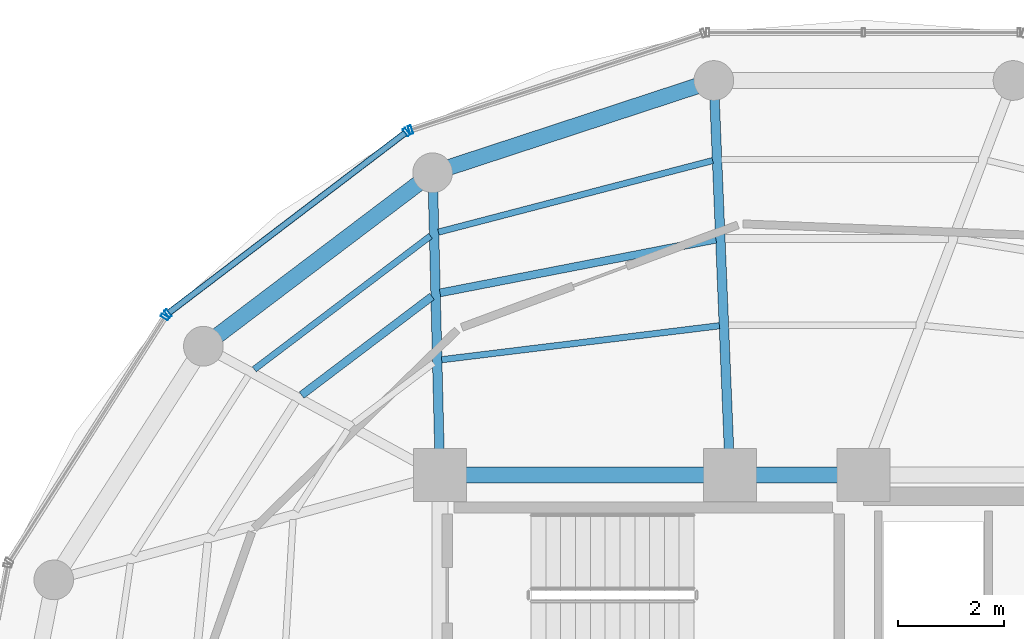
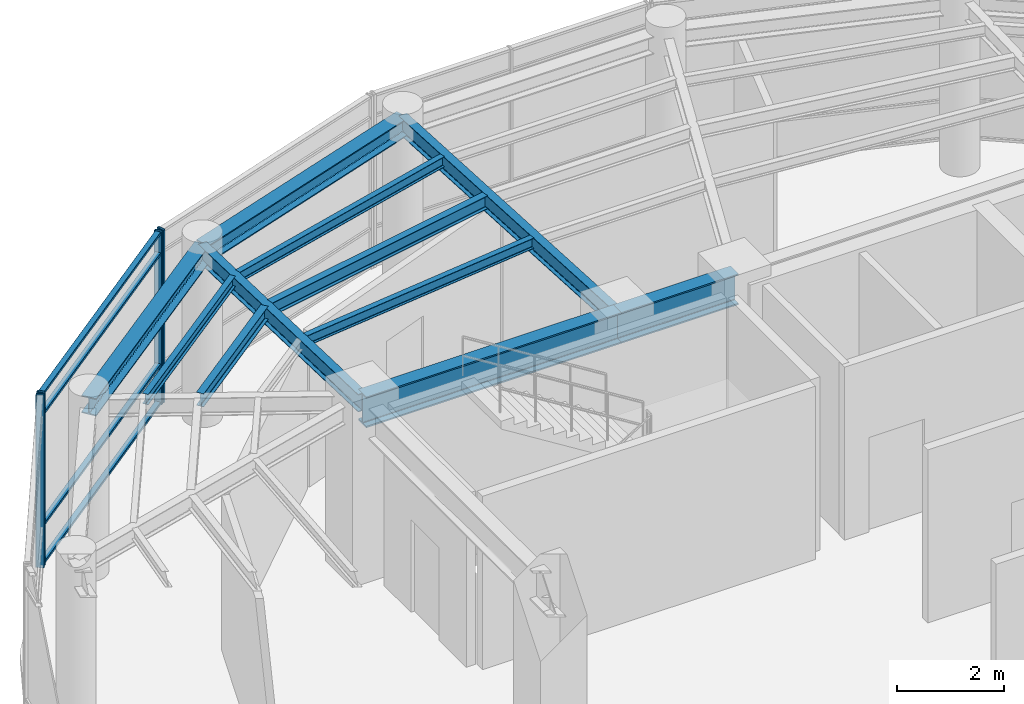
# One storey, part 10 of 19: 11 beams, 8 members, 3 elements without a shape of their own.
"""IFC4 building model written with IfcOpenShell, lengths in metres."""

from ifc_helpers import new_model, si_unit, direction, frame, origin, origin_2d, place, context, subcontext, project, spatial, hollow_rectangle, i_section, extrude, material, layer, layer_set, material_profile, profile_set, type_object, element, aggregate, save


model = new_model("IFC4")

# Units and contexts
model_context = context("Model", 3, precision=1e-05, world=origin(), true_north=direction((0.0, 1.0)))
body_context = subcontext(model_context, "Body", "Model", "MODEL_VIEW")
ifc_project = project(units=[si_unit("LENGTHUNIT", "METRE"), si_unit("AREAUNIT", "SQUARE_METRE"), si_unit("VOLUMEUNIT", "CUBIC_METRE"), si_unit("PLANEANGLEUNIT", "RADIAN"), si_unit("MASSUNIT", "GRAM", prefix="KILO")], contexts=[model_context])

# Site, building, storey
site_placement = place(None, origin())
site = spatial("IfcSite", under=ifc_project, at=site_placement, CompositionType="ELEMENT")
building_placement = place(site_placement, origin())
building = spatial("IfcBuilding", under=site, at=building_placement, Name="Kelanora Arch Commons", CompositionType="ELEMENT")
storey_placement = place(building_placement, frame((0.0, 0.0, 302.699951171875)))
storey = spatial("IfcBuildingStorey", under=building, at=storey_placement, Name="L77", CompositionType="ELEMENT", Elevation=302.699951171875)

# Beams
ifc_material_1 = material(Name="Steel S355", Category="steel")
ifc_material_profile_1 = material_profile(ifc_material_1, i_section(OverallWidth=0.300048828125, OverallDepth=0.699951171875, WebThickness=0.01708984375, FlangeThickness=0.031982421875, FilletRadius=0.027099609375, at=origin_2d()), Name="HEB700")
ifc_profile_set_1 = profile_set([ifc_material_profile_1], Name="Steel S355")
beam_type_1 = type_object("IfcBeamType", Name="BM-CORE-HDR", PredefinedType="BEAM", material=ifc_profile_set_1)
beam_1_placement = place(storey_placement, frame((74.0, 65.0, 3.590087890625), z_axis=(-1.0, 0.0, 0.0), x_axis=(0.0, -1.0, 0.0)))
element("IfcBeam", 1, at=beam_1_placement, inside=storey, type_object=beam_type_1, Name="Core Header Beam 06 L77", PredefinedType="BEAM", context=body_context, shape_type="SweptSolid", body=[
    extrude(i_section(OverallWidth=0.300048828125, OverallDepth=0.699951171875, WebThickness=0.01708984375, FlangeThickness=0.031982421875, FilletRadius=0.027099609375, at=origin_2d()), origin(), (0.0, 0.0, 1.0), 2.52001953125),
])
beam_2_placement = place(storey_placement, frame((71.47998046875, 65.0, 3.590087890625), z_axis=(-1.0, 0.0, 0.0), x_axis=(0.0, -1.0, 0.0)))
element("IfcBeam", 2, at=beam_2_placement, inside=storey, type_object=beam_type_1, Name="Core Header Beam 07 L77", PredefinedType="BEAM", context=body_context, shape_type="SweptSolid", body=[
    extrude(i_section(OverallWidth=0.300048828125, OverallDepth=0.699951171875, WebThickness=0.01708984375, FlangeThickness=0.031982421875, FilletRadius=0.027099609375, at=origin_2d()), origin(), (0.0, 0.0, 1.0), 5.47998046875),
])
ifc_material_profile_2 = material_profile(ifc_material_1, i_section(OverallWidth=0.14990234375, OverallDepth=0.300048828125, WebThickness=0.007080078125, FlangeThickness=0.0107421875, FilletRadius=0.014892578125, at=origin_2d()), Name="IPE300")
ifc_profile_set_2 = profile_set([ifc_material_profile_2], Name="Steel S355")
beam_type_2 = type_object("IfcBeamType", Name="BM-JST-01", PredefinedType="JOIST", material=ifc_profile_set_2)
beam_3_placement = place(storey_placement, frame((71.21240234375, 69.4580078125, 3.7900390625), z_axis=(-0.981604860643, -0.190923800405, 0.0), x_axis=(0.190923800405, -0.981604860643, 0.0)))
element("IfcBeam", 3, at=beam_3_placement, inside=storey, type_object=beam_type_2, Name="Secondary Chord Joist BJB-10 L77", PredefinedType="JOIST", context=body_context, shape_type="SweptSolid", body=[
    extrude(i_section(OverallWidth=0.14990234375, OverallDepth=0.300048828125, WebThickness=0.007080078125, FlangeThickness=0.0107421875, FilletRadius=0.014892578125, at=origin_2d()), origin(), (0.0, 0.0, 1.0), 5.310546875),
])
beam_4_placement = place(storey_placement, frame((65.84814453125, 68.376708984375, 3.7900390625), z_axis=(-0.797441333972, -0.603396485632, 0.0), x_axis=(0.603396485632, -0.797441333972, 0.0)))
element("IfcBeam", 4, at=beam_4_placement, inside=storey, type_object=beam_type_2, Name="Secondary Chord Joist BJB-12 L77", PredefinedType="JOIST", context=body_context, shape_type="SweptSolid", body=[
    extrude(i_section(OverallWidth=0.14990234375, OverallDepth=0.300048828125, WebThickness=0.007080078125, FlangeThickness=0.0107421875, FilletRadius=0.014892578125, at=origin_2d()), origin(), (0.0, 0.0, 1.0), 3.0888671875),
])
ifc_material_profile_3 = material_profile(ifc_material_1, i_section(OverallWidth=0.1201171875, OverallDepth=0.239990234375, WebThickness=0.006103515625, FlangeThickness=0.009765625, FilletRadius=0.014892578125, at=origin_2d()), Name="IPE240")
ifc_profile_set_3 = profile_set([ifc_material_profile_3], Name="Steel S355")
beam_type_3 = type_object("IfcBeamType", Name="BM-JST-02", PredefinedType="JOIST", material=ifc_profile_set_3)
beam_5_placement = place(storey_placement, frame((71.279052734375, 67.8232421875, 3.820068359375), z_axis=(-0.992603319322, -0.121402843754, 0.0), x_axis=(0.121402843754, -0.992603319322, 0.0)))
element("IfcBeam", 5, at=beam_5_placement, inside=storey, type_object=beam_type_3, Name="Secondary Chord Joist BJA-10 L77", PredefinedType="JOIST", context=body_context, shape_type="SweptSolid", body=[
    extrude(i_section(OverallWidth=0.1201171875, OverallDepth=0.239990234375, WebThickness=0.006103515625, FlangeThickness=0.009765625, FilletRadius=0.014892578125, at=origin_2d()), origin(), (0.0, 0.0, 1.0), 5.286865234375),
])
beam_6_placement = place(storey_placement, frame((71.152099609375, 70.944091796875, 3.820068359375), z_axis=(-0.967605652479, -0.252466435968, 0.0), x_axis=(0.252466435968, -0.967605652479, 0.0)))
element("IfcBeam", 6, at=beam_6_placement, inside=storey, type_object=beam_type_3, Name="Secondary Chord Joist BJC-10 L77", PredefinedType="JOIST", context=body_context, shape_type="SweptSolid", body=[
    extrude(i_section(OverallWidth=0.1201171875, OverallDepth=0.239990234375, WebThickness=0.006103515625, FlangeThickness=0.009765625, FilletRadius=0.014892578125, at=origin_2d()), origin(), (0.0, 0.0, 1.0), 5.35546875),
])
beam_7_placement = place(storey_placement, frame((65.8203125, 69.519287109375, 3.820068359375), z_axis=(-0.797480905842, -0.603344184373, 0.0), x_axis=(0.603344184373, -0.797480905842, 0.0)))
element("IfcBeam", 7, at=beam_7_placement, inside=storey, type_object=beam_type_3, Name="Secondary Chord Joist BJC-12 L77", PredefinedType="JOIST", context=body_context, shape_type="SweptSolid", body=[
    extrude(i_section(OverallWidth=0.1201171875, OverallDepth=0.239990234375, WebThickness=0.006103515625, FlangeThickness=0.009765625, FilletRadius=0.014892578125, at=origin_2d()), origin(), (0.0, 0.0, 1.0), 4.175048828125),
])
ifc_material_profile_4 = material_profile(ifc_material_1, i_section(OverallWidth=0.179931640625, OverallDepth=0.39990234375, WebThickness=0.008544921875, FlangeThickness=0.013427734375, FilletRadius=0.02099609375, at=origin_2d()), Name="IPE400")
ifc_profile_set_4 = profile_set([ifc_material_profile_4], Name="Steel S355")
beam_type_4 = type_object("IfcBeamType", Name="BM-RAD-Z5", PredefinedType="BEAM", material=ifc_profile_set_4)
beam_8_placement = place(storey_placement, frame((71.47998046875, 65.0, 3.739990234375), z_axis=(-0.041118939996, 0.999154258748, 0.0), x_axis=(-0.999154258748, -0.041118939996, 0.0)))
element("IfcBeam", 8, at=beam_8_placement, inside=storey, type_object=beam_type_4, Name="Radial Floor Girder BR-10 L77", PredefinedType="BEAM", context=body_context, shape_type="SweptSolid", body=[
    extrude(i_section(OverallWidth=0.179931640625, OverallDepth=0.39990234375, WebThickness=0.008544921875, FlangeThickness=0.013427734375, FilletRadius=0.02099609375, at=origin_2d()), origin(), (0.0, 0.0, 1.0), 7.46337890625),
])
beam_9_placement = place(storey_placement, frame((66.0, 65.0, 3.739990234375), z_axis=(-0.0244777504, 0.99970037498, 0.0), x_axis=(-0.99970037498, -0.0244777504, 0.0)))
element("IfcBeam", 9, at=beam_9_placement, inside=storey, type_object=beam_type_4, Name="Radial Floor Girder BR-12 L77", PredefinedType="BEAM", context=body_context, shape_type="SweptSolid", body=[
    extrude(i_section(OverallWidth=0.179931640625, OverallDepth=0.39990234375, WebThickness=0.008544921875, FlangeThickness=0.013427734375, FilletRadius=0.02099609375, at=origin_2d()), origin(), (0.0, 0.0, 1.0), 5.715087890625),
])
ifc_material_profile_5 = material_profile(ifc_material_1, i_section(OverallWidth=0.300048828125, OverallDepth=0.39990234375, WebThickness=0.013427734375, FlangeThickness=0.02392578125, FilletRadius=0.027099609375, at=origin_2d()), Name="HEB400")
ifc_profile_set_5 = profile_set([ifc_material_profile_5], Name="Steel S355")
beam_type_5 = type_object("IfcBeamType", Name="BM-SPN-Z4", PredefinedType="SPANDREL", material=ifc_profile_set_5)
beam_10_placement = place(storey_placement, frame((71.173095703125, 72.45703125, 3.739990234375), z_axis=(-0.950140083071, -0.311823383572, 0.0), x_axis=(0.311823383572, -0.950140083071, 0.0)))
element("IfcBeam", 10, at=beam_10_placement, inside=storey, type_object=beam_type_5, Name="Perimeter Spandrel Beam BS-10 L77", PredefinedType="SPANDREL", context=body_context, shape_type="SweptSolid", body=[
    extrude(i_section(OverallWidth=0.300048828125, OverallDepth=0.39990234375, WebThickness=0.013427734375, FlangeThickness=0.02392578125, FilletRadius=0.027099609375, at=origin_2d()), origin(), (0.0, 0.0, 1.0), 5.591796875),
])
beam_11_placement = place(storey_placement, frame((65.860107421875, 70.71337890625, 3.739990234375), z_axis=(-0.797441458309, -0.603396321309, 0.0), x_axis=(0.603396321309, -0.797441458309, 0.0)))
element("IfcBeam", 11, at=beam_11_placement, inside=storey, type_object=beam_type_5, Name="Perimeter Spandrel Beam BS-12 L77", PredefinedType="SPANDREL", context=body_context, shape_type="SweptSolid", body=[
    extrude(i_section(OverallWidth=0.300048828125, OverallDepth=0.39990234375, WebThickness=0.013427734375, FlangeThickness=0.02392578125, FilletRadius=0.027099609375, at=origin_2d()), origin(), (0.0, 0.0, 1.0), 5.431396484375),
])

# Curtain wall, member
ifc_material_2 = material(Name="Terracotta ceramic-fritted low-E glass and aluminium", Category="masonry")
ifc_layer = layer(ifc_material_2, 0.14990234375)
ifc_layer_set = layer_set([ifc_layer], Name="Terracotta ceramic-fritted low-E glass and aluminium")
curtain_wall_type = type_object("IfcCurtainWallType", Name="CW-SYS-06", PredefinedType="NOTDEFINED", material=ifc_layer_set)
curtain_wall_1_placement = place(storey_placement, origin())
curtain_wall_1 = element("IfcCurtainWall", 12, at=curtain_wall_1_placement, inside=storey, type_object=curtain_wall_type, Name="Unitised Curtain Wall L77-B05", PredefinedType="NOTDEFINED")
ifc_material_3 = material(Name="Powder-coated aluminium terracotta", Category="masonry")
ifc_material_profile_6 = material_profile(ifc_material_3, hollow_rectangle(XDim=0.159912109375, YDim=0.06005859375, WallThickness=0.0048828125, InnerFilletRadius=0.0048828125, OuterFilletRadius=0.010009765625, at=origin_2d()), Name="CWM160x60")
ifc_profile_set_6 = profile_set([ifc_material_profile_6], Name="Powder-coated aluminium terracotta")
member_type_1 = type_object("IfcMemberType", Name="CWM-STD", PredefinedType="MULLION", material=ifc_profile_set_6)
member_1_placement = place(storey_placement, frame((65.442626953125, 71.524169921875, 0.0), z_axis=(0.0, 0.0, 1.0), x_axis=(0.313466845323, -0.949599145368, 0.0)))
member_1 = element("IfcMember", 13, at=member_1_placement, type_object=member_type_1, Name="CW-06 mullion 2", PredefinedType="MULLION", context=body_context, shape_type="SweptSolid", body=[
    extrude(hollow_rectangle(XDim=0.159912109375, YDim=0.06005859375, WallThickness=0.0048828125, InnerFilletRadius=0.0048828125, OuterFilletRadius=0.010009765625, at=origin_2d()), origin(), (0.0, 0.0, 1.0), 3.925048828125),
])
aggregate(curtain_wall_1, [member_1])

# Curtain wall, members
curtain_wall_2_placement = place(storey_placement, origin())
curtain_wall_2 = element("IfcCurtainWall", 14, at=curtain_wall_2_placement, inside=storey, type_object=curtain_wall_type, Name="Unitised Curtain Wall L77-B06", PredefinedType="NOTDEFINED")
member_2_placement = place(storey_placement, frame((65.3642578125, 71.482666015625, 0.0), z_axis=(0.0, 0.0, 1.0), x_axis=(0.605595960801, -0.795772286688, 0.0)))
member_2 = element("IfcMember", 15, at=member_2_placement, type_object=member_type_1, Name="CW-06 mullion 1", PredefinedType="MULLION", context=body_context, shape_type="SweptSolid", body=[
    extrude(hollow_rectangle(XDim=0.159912109375, YDim=0.06005859375, WallThickness=0.0048828125, InnerFilletRadius=0.0048828125, OuterFilletRadius=0.010009765625, at=origin_2d()), origin(), (0.0, 0.0, 1.0), 3.925048828125),
])
member_3_placement = place(storey_placement, frame((60.85986328125, 68.0546875, 0.0), z_axis=(0.0, 0.0, 1.0), x_axis=(0.605595960801, -0.795772286688, 0.0)))
member_3 = element("IfcMember", 16, at=member_3_placement, type_object=member_type_1, Name="CW-06 mullion 2", PredefinedType="MULLION", context=body_context, shape_type="SweptSolid", body=[
    extrude(hollow_rectangle(XDim=0.159912109375, YDim=0.06005859375, WallThickness=0.0048828125, InnerFilletRadius=0.0048828125, OuterFilletRadius=0.010009765625, at=origin_2d()), origin(), (0.0, 0.0, 1.0), 3.925048828125),
])

# Curtain wall, member
curtain_wall_3_placement = place(storey_placement, origin())
curtain_wall_3 = element("IfcCurtainWall", 17, at=curtain_wall_3_placement, inside=storey, type_object=curtain_wall_type, Name="Unitised Curtain Wall L77-B07", PredefinedType="NOTDEFINED")
member_4_placement = place(storey_placement, frame((60.7998046875, 67.989501953125, 0.0), z_axis=(0.0, 0.0, 1.0), x_axis=(0.84359225554, -0.536984270154, 0.0)))
member_4 = element("IfcMember", 18, at=member_4_placement, type_object=member_type_1, Name="CW-06 mullion 1", PredefinedType="MULLION", context=body_context, shape_type="SweptSolid", body=[
    extrude(hollow_rectangle(XDim=0.159912109375, YDim=0.06005859375, WallThickness=0.0048828125, InnerFilletRadius=0.0048828125, OuterFilletRadius=0.010009765625, at=origin_2d()), origin(), (0.0, 0.0, 1.0), 3.925048828125),
])
aggregate(curtain_wall_3, [member_4])

# Member
ifc_material_profile_7 = material_profile(ifc_material_3, hollow_rectangle(XDim=0.1201171875, YDim=0.06005859375, WallThickness=0.0048828125, InnerFilletRadius=0.0048828125, OuterFilletRadius=0.010009765625, at=origin_2d()), Name="CWT120x60")
ifc_profile_set_7 = profile_set([ifc_material_profile_7], Name="Powder-coated aluminium terracotta")
member_type_2 = type_object("IfcMemberType", Name="CWT-STD", PredefinedType="USERDEFINED", material=ifc_profile_set_7)
member_5_placement = place(storey_placement, frame((65.34033203125, 71.464599609375, 0.030029296875), z_axis=(-0.79577982782, -0.605586051387, 0.0), x_axis=(0.605586051387, -0.79577982782, 0.0)))
member_5 = element("IfcMember", 19, at=member_5_placement, type_object=member_type_2, Name="CW-06 transom 1.1", ObjectType="TRANSOM", PredefinedType="USERDEFINED", context=body_context, shape_type="SweptSolid", body=[
    extrude(hollow_rectangle(XDim=0.1201171875, YDim=0.06005859375, WallThickness=0.0048828125, InnerFilletRadius=0.0048828125, OuterFilletRadius=0.010009765625, at=origin_2d()), origin(), (0.0, 0.0, 1.0), 5.6005859375),
])

member_6_placement = place(storey_placement, frame((65.34033203125, 71.464599609375, 0.900146484375), z_axis=(-0.79577982782, -0.605586051387, 0.0), x_axis=(0.605586051387, -0.79577982782, 0.0)))
member_6 = element("IfcMember", 20, at=member_6_placement, type_object=member_type_2, Name="CW-06 transom 1.2", ObjectType="TRANSOM", PredefinedType="USERDEFINED", context=body_context, shape_type="SweptSolid", body=[
    extrude(hollow_rectangle(XDim=0.1201171875, YDim=0.06005859375, WallThickness=0.0048828125, InnerFilletRadius=0.0048828125, OuterFilletRadius=0.010009765625, at=origin_2d()), origin(), (0.0, 0.0, 1.0), 5.6005859375),
])

member_7_placement = place(storey_placement, frame((65.34033203125, 71.464599609375, 3.425048828125), z_axis=(-0.79577982782, -0.605586051387, 0.0), x_axis=(0.605586051387, -0.79577982782, 0.0)))
member_7 = element("IfcMember", 21, at=member_7_placement, type_object=member_type_2, Name="CW-06 transom 1.3", ObjectType="TRANSOM", PredefinedType="USERDEFINED", context=body_context, shape_type="SweptSolid", body=[
    extrude(hollow_rectangle(XDim=0.1201171875, YDim=0.06005859375, WallThickness=0.0048828125, InnerFilletRadius=0.0048828125, OuterFilletRadius=0.010009765625, at=origin_2d()), origin(), (0.0, 0.0, 1.0), 5.6005859375),
])

member_8_placement = place(storey_placement, frame((65.34033203125, 71.464599609375, 3.89501953125), z_axis=(-0.79577982782, -0.605586051387, 0.0), x_axis=(0.605586051387, -0.79577982782, 0.0)))
member_8 = element("IfcMember", 22, at=member_8_placement, type_object=member_type_2, Name="CW-06 transom 1.4", ObjectType="TRANSOM", PredefinedType="USERDEFINED", context=body_context, shape_type="SweptSolid", body=[
    extrude(hollow_rectangle(XDim=0.1201171875, YDim=0.06005859375, WallThickness=0.0048828125, InnerFilletRadius=0.0048828125, OuterFilletRadius=0.010009765625, at=origin_2d()), origin(), (0.0, 0.0, 1.0), 5.6005859375),
])

aggregate(curtain_wall_2, [member_2, member_3, member_5, member_6, member_7, member_8])

save(model, "model.ifc")
